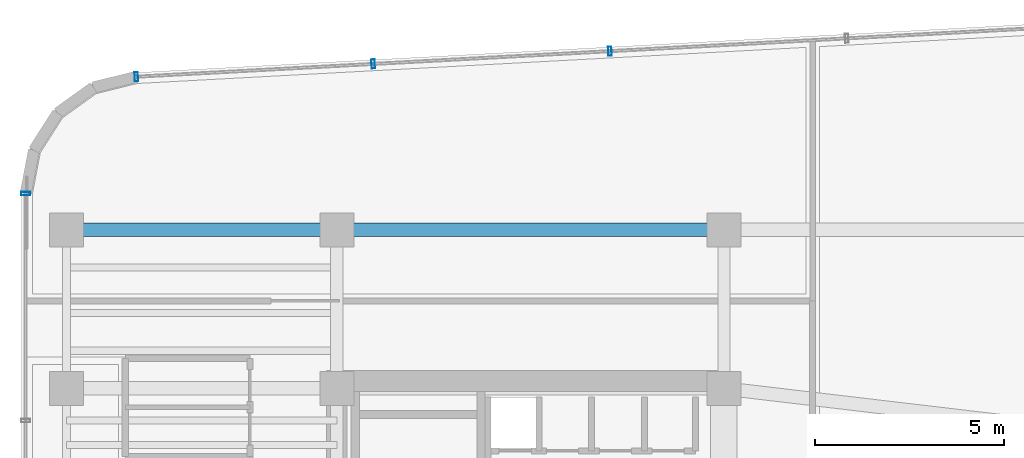
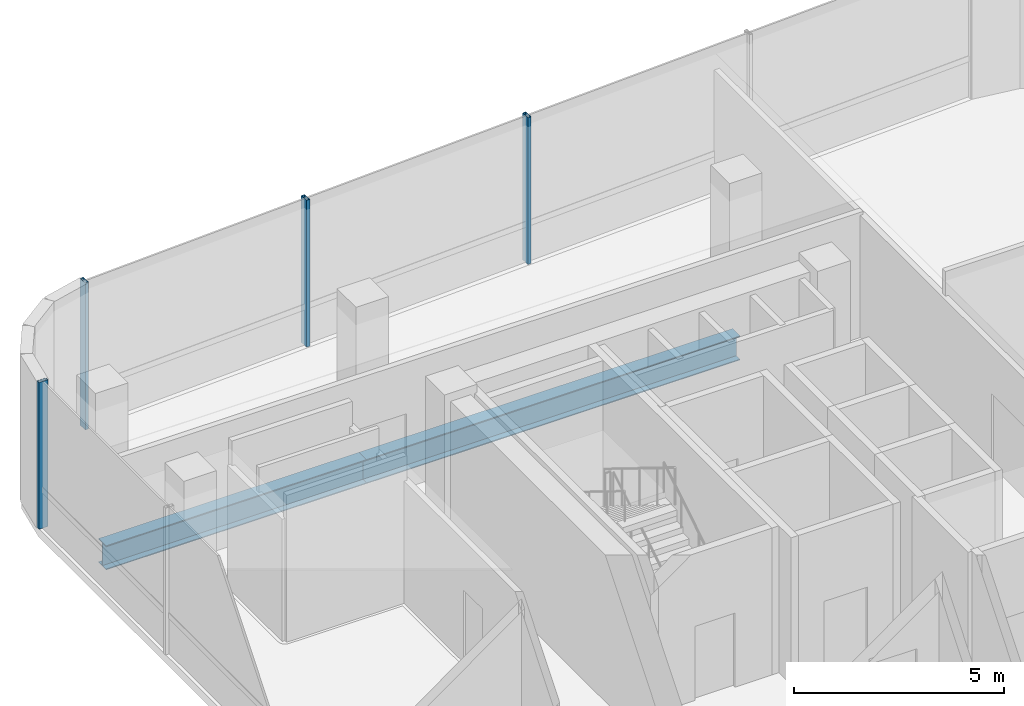
# One storey, part 9 of 17: 4 members, 2 beams, 2 elements without a shape of their own.
"""IFC4 building model written with IfcOpenShell, lengths in metres."""

from ifc_helpers import new_model, si_unit, direction, frame, origin, origin_2d, place, context, subcontext, project, spatial, hollow_rectangle, i_section, extrude, source, transform, mapped, material, material_profile, profile_set, type_object, element, aggregate, save


model = new_model("IFC4")

# Units and contexts
model_context = context("Model", 3, precision=1e-05, world=origin(), true_north=direction((0.0, 1.0)))
body_context = subcontext(model_context, "Body", "Model", "MODEL_VIEW")
ifc_project = project(units=[si_unit("LENGTHUNIT", "METRE"), si_unit("AREAUNIT", "SQUARE_METRE"), si_unit("VOLUMEUNIT", "CUBIC_METRE"), si_unit("PLANEANGLEUNIT", "RADIAN"), si_unit("MASSUNIT", "GRAM", prefix="KILO")], contexts=[model_context])

# Site, building, storey
site_placement = place(None, origin())
site = spatial("IfcSite", under=ifc_project, at=site_placement, CompositionType="ELEMENT")
building_placement = place(site_placement, origin())
building = spatial("IfcBuilding", under=site, at=building_placement, Name="Valdorenza Pilgrim Sanctuary Tower", CompositionType="ELEMENT")
storey_placement = place(building_placement, frame((0.0, 0.0, 201.0)))
storey = spatial("IfcBuildingStorey", under=building, at=storey_placement, Name="L51", CompositionType="ELEMENT", Elevation=201.0)

# Beams
ifc_material_1 = material(Name="Steel ASTM A992 Grade 50", Category="steel")
ifc_material_profile_1 = material_profile(ifc_material_1, i_section(OverallWidth=0.35595703125, OverallDepth=0.700927734375, WebThickness=0.016845703125, FlangeThickness=0.02734375, at=origin_2d()), Name="W27X161")
ifc_profile_set_1 = profile_set([ifc_material_profile_1], Name="Steel ASTM A992 Grade 50")
beam_type = type_object("IfcBeamType", Name="STR-BM-GRD-W27", PredefinedType="BEAM", material=ifc_profile_set_1)
shared_shape_1 = source(origin(), body_context, "Body", "SweptSolid", [
    extrude(i_section(OverallWidth=0.35595703125, OverallDepth=0.700927734375, WebThickness=0.016845703125, FlangeThickness=0.02734375, at=origin_2d()), origin(), (0.0, 0.0, 1.0), 7.150146484375),
])
beam_1_placement = place(storey_placement, frame((-29.800048828125, 14.800048828125, -0.590576171875), z_axis=(1.0, 0.0, 0.0), x_axis=(0.0, 1.0, 0.0)))
element("IfcBeam", 1, at=beam_1_placement, inside=storey, type_object=beam_type, Name="L51 Floor Girder WA-XW-N2", PredefinedType="BEAM", context=body_context, shape_type="MappedRepresentation", body=[
    mapped(shared_shape_1, transform((0.0, 0.0, 0.0), x_axis=(1.0, 0.0, 0.0), y_axis=(0.0, 1.0, 0.0), z_axis=(0.0, 0.0, 1.0), scale=1.0)),
])
shared_shape_2 = source(origin(), body_context, "Body", "SweptSolid", [
    extrude(i_section(OverallWidth=0.35595703125, OverallDepth=0.700927734375, WebThickness=0.016845703125, FlangeThickness=0.02734375, at=origin_2d()), origin(), (0.0, 0.0, 1.0), 10.25),
])
beam_2_placement = place(storey_placement, frame((-22.64990234375, 14.800048828125, -0.590576171875), z_axis=(1.0, 0.0, 0.0), x_axis=(0.0, 1.0, 0.0)))
element("IfcBeam", 2, at=beam_2_placement, inside=storey, type_object=beam_type, Name="L51 Floor Girder CA-XC-N2", PredefinedType="BEAM", context=body_context, shape_type="MappedRepresentation", body=[
    mapped(shared_shape_2, transform((0.0, 0.0, 0.0), x_axis=(1.0, 0.0, 0.0), y_axis=(0.0, 1.0, 0.0), z_axis=(0.0, 0.0, 1.0), scale=1.0)),
])

# Curtain wall, member
ifc_material_2 = material(Name="Curtain-wall IGU glazing", Category="glass")
curtain_wall_type = type_object("IfcCurtainWallType", Name="CW-SYS-04", PredefinedType="NOTDEFINED", material=ifc_material_2)
curtain_wall_1_placement = place(storey_placement, origin())
curtain_wall_1 = element("IfcCurtainWall", 3, at=curtain_wall_1_placement, inside=storey, type_object=curtain_wall_type, Name="L51 Curtain Wall CW-L51-1-1", PredefinedType="NOTDEFINED")
ifc_material_3 = material(Name="Anodised aluminium AW-6060", Category="aluminium")
ifc_material_profile_2 = material_profile(ifc_material_3, hollow_rectangle(XDim=0.090087890625, YDim=0.239990234375, WallThickness=0.0048828125, at=origin_2d()), Name="ALU-M 240x90x5")
ifc_profile_set_2 = profile_set([ifc_material_profile_2], Name="Anodised aluminium AW-6060")
member_type = type_object("IfcMemberType", Name="CW-MUL-04", PredefinedType="MULLION", material=ifc_profile_set_2)
shared_shape_3 = source(origin(), body_context, "Body", "SweptSolid", [
    extrude(hollow_rectangle(XDim=0.090087890625, YDim=0.239990234375, WallThickness=0.0048828125, at=origin_2d()), origin(), (0.0, 0.0, 1.0), 4.260009765625),
])
member_1_placement = place(storey_placement, frame((-30.889892578125, 15.757568359375, 0.0), z_axis=(0.0, 0.0, 1.0), x_axis=(0.0, 1.0, 0.0)))
member_1 = element("IfcMember", 4, at=member_1_placement, type_object=member_type, Name="CW-L51-1-1 Mullion 6", PredefinedType="MULLION", context=body_context, shape_type="MappedRepresentation", body=[
    mapped(shared_shape_3, transform((0.0, 0.0, 0.0), x_axis=(1.0, 0.0, 0.0), y_axis=(0.0, 1.0, 0.0), z_axis=(0.0, 0.0, 1.0), scale=1.0)),
])
aggregate(curtain_wall_1, [member_1])

# Curtain wall, members
curtain_wall_2_placement = place(storey_placement, origin())
curtain_wall_2 = element("IfcCurtainWall", 5, at=curtain_wall_2_placement, inside=storey, type_object=curtain_wall_type, Name="L51 Curtain Wall CW-L51-1-6", PredefinedType="NOTDEFINED")
member_2_placement = place(storey_placement, frame((-27.9560546875, 18.85400390625, 0.0), z_axis=(0.0, 0.0, 1.0), x_axis=(0.998547034311, 0.053887106711, 0.0)))
member_2 = element("IfcMember", 6, at=member_2_placement, type_object=member_type, Name="CW-L51-1-6 Mullion 1", PredefinedType="MULLION", context=body_context, shape_type="MappedRepresentation", body=[
    mapped(shared_shape_3, transform((0.0, 0.0, 0.0), x_axis=(1.0, 0.0, 0.0), y_axis=(0.0, 1.0, 0.0), z_axis=(0.0, 0.0, 1.0), scale=1.0)),
])
member_3_placement = place(storey_placement, frame((-21.686279296875, 19.1923828125, 0.0), z_axis=(0.0, 0.0, 1.0), x_axis=(0.998547034311, 0.053887106711, 0.0)))
member_3 = element("IfcMember", 7, at=member_3_placement, type_object=member_type, Name="CW-L51-1-6 Mullion 2", PredefinedType="MULLION", context=body_context, shape_type="MappedRepresentation", body=[
    mapped(shared_shape_3, transform((0.0, 0.0, 0.0), x_axis=(1.0, 0.0, 0.0), y_axis=(0.0, 1.0, 0.0), z_axis=(0.0, 0.0, 1.0), scale=1.0)),
])
member_4_placement = place(storey_placement, frame((-15.4169921875, 19.531005859375, 0.0), z_axis=(0.0, 0.0, 1.0), x_axis=(0.998547034311, 0.053887106711, 0.0)))
member_4 = element("IfcMember", 8, at=member_4_placement, type_object=member_type, Name="CW-L51-1-6 Mullion 3", PredefinedType="MULLION", context=body_context, shape_type="MappedRepresentation", body=[
    mapped(shared_shape_3, transform((0.0, 0.0, 0.0), x_axis=(1.0, 0.0, 0.0), y_axis=(0.0, 1.0, 0.0), z_axis=(0.0, 0.0, 1.0), scale=1.0)),
])
aggregate(curtain_wall_2, [member_2, member_3, member_4])

save(model, "model.ifc")
